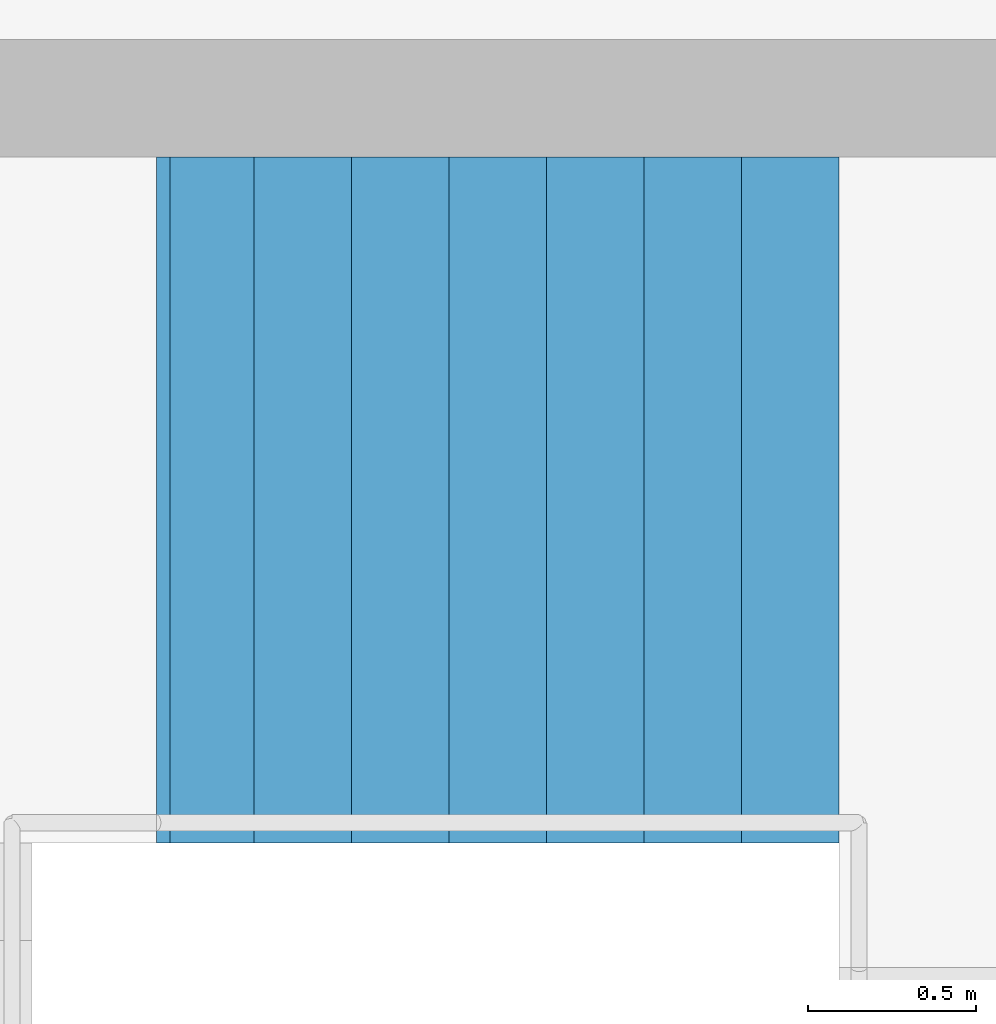
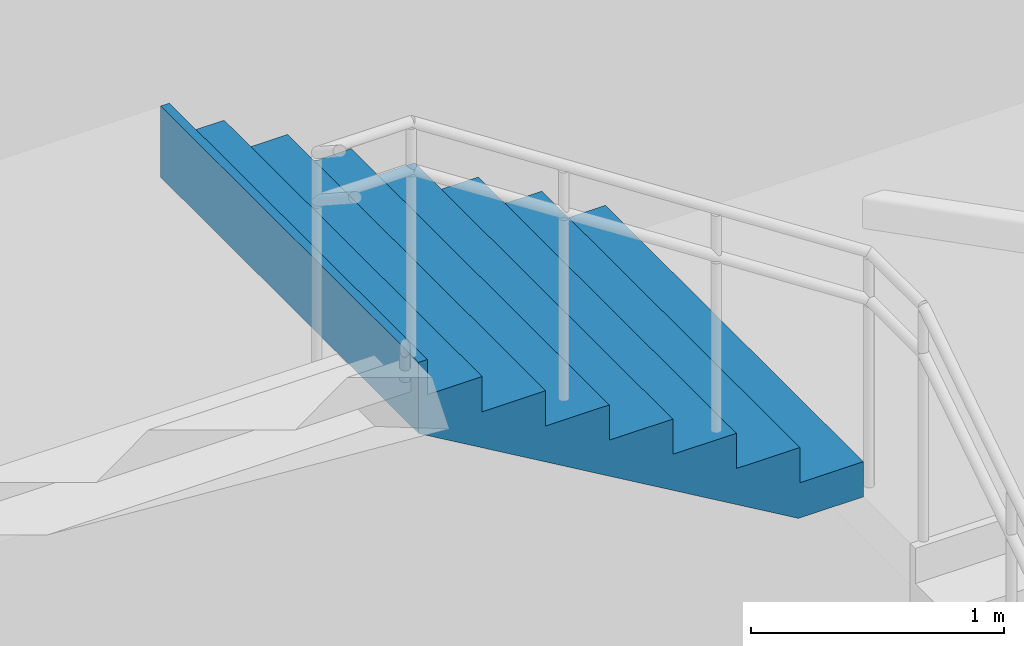
# One storey, part 53 of 74: 1 stair flight, 1 element without a shape of its own.
"""IFC4 building model written with IfcOpenShell, lengths in metres."""

from ifc_helpers import new_model, si_unit, direction, frame, origin, place, context, subcontext, project, spatial, triangles, material, type_object, element, aggregate, save


model = new_model("IFC4")

# Units and contexts
model_context = context("Model", 3, precision=1e-05, world=origin(), true_north=direction((0.0, 1.0)))
body_context = subcontext(model_context, "Body", "Model", "MODEL_VIEW")
ifc_project = project(units=[si_unit("LENGTHUNIT", "METRE"), si_unit("AREAUNIT", "SQUARE_METRE"), si_unit("VOLUMEUNIT", "CUBIC_METRE"), si_unit("PLANEANGLEUNIT", "RADIAN"), si_unit("MASSUNIT", "GRAM", prefix="KILO")], contexts=[model_context])

# Site, building, storey
site_placement = place(None, origin())
site = spatial("IfcSite", under=ifc_project, at=site_placement, CompositionType="ELEMENT")
building_placement = place(site_placement, origin())
building = spatial("IfcBuilding", under=site, at=building_placement, Name="Sillaruma Civic Art Gallery", CompositionType="ELEMENT")
storey_placement = place(building_placement, frame((0.0, 0.0, 5.43994140625)))
storey = spatial("IfcBuildingStorey", under=building, at=storey_placement, Name="L01", CompositionType="ELEMENT", Elevation=5.43994140625)

# Stair, stair flight
ifc_material = material(Name="Concrete H35 (35 MPa)", Category="concrete")
stair_type = type_object("IfcStairType", Name="STR-4F-32", PredefinedType="USERDEFINED", material=ifc_material)
stair_placement = place(storey_placement, origin())
stair = element("IfcStair", 1, at=stair_placement, inside=storey, type_object=stair_type, Name="Protected Exit Stair ST-03 (West Bar South) (L01)", ObjectType="THREE_RETURN_STAIR", PredefinedType="USERDEFINED")
stair_flight_type = type_object("IfcStairFlightType", Name="SFL-STR-8", PredefinedType="STRAIGHT", material=ifc_material)
stair_flight_placement = place(storey_placement, frame((67.199951171875, 36.8701171875, 2.719970703125), z_axis=(0.0, 0.0, 1.0), x_axis=(-1.0, 0.0, 0.0)))
stair_flight = element("IfcStairFlight", 2, at=stair_flight_placement, type_object=stair_flight_type, Name="ST-03 flight 3", NumberOfRisers=8, NumberOfTreads=7, PredefinedType="STRAIGHT", RiserHeight=0.17, TreadLength=0.29, context=body_context, shape_type="Tessellation", body=[
    triangles([(0.0, -1.02001953125, 0.0), (0.29, -1.02001953125, 0.0), (0.296443, -1.02001953125, 0.0), (0.58, -1.02001953125, 0.166223), (0.87, -1.02001953125, 0.336223), (1.16, -1.02001953125, 0.506223), (1.45, -1.02001953125, 0.676223), (1.74, -1.02001953125, 0.846223), (1.990029, -1.02001953125, 0.992792), (2.030029, -1.02001953125, 1.01624), (2.030029, -1.02001953125, 1.36), (1.990029, -1.02001953125, 1.36), (1.990029, -1.02001953125, 1.19), (1.74, -1.02001953125, 1.19), (1.74, -1.02001953125, 1.02), (1.45, -1.02001953125, 1.02), (1.45, -1.02001953125, 0.85), (1.16, -1.02001953125, 0.85), (1.16, -1.02001953125, 0.68), (0.87, -1.02001953125, 0.68), (0.87, -1.02001953125, 0.51), (0.58, -1.02001953125, 0.51), (0.58, -1.02001953125, 0.34), (0.296443, -1.02001953125, 0.34), (0.29, -1.02001953125, 0.34), (0.29, -1.02001953125, 0.17), (0.0, -1.02001953125, 0.17), (0.0, -0.05, 0.0), (0.29, -0.05, 0.0), (0.296443, -0.05, 0.0), (0.58, -0.05, 0.166223), (0.87, -0.05, 0.336223), (1.16, -0.05, 0.506223), (1.45, -0.05, 0.676223), (1.74, -0.05, 0.846223), (1.990029, -0.05, 0.992792), (2.030029, -0.05, 1.01624), (2.030029, -0.05, 1.36), (1.990029, -0.05, 1.36), (1.990029, -0.05, 1.19), (1.74, -0.05, 1.19), (1.74, -0.05, 1.02), (1.45, -0.05, 1.02), (1.45, -0.05, 0.85), (1.16, -0.05, 0.85), (1.16, -0.05, 0.68), (0.87, -0.05, 0.68), (0.87, -0.05, 0.51), (0.58, -0.05, 0.51), (0.58, -0.05, 0.34), (0.296443, -0.05, 0.34), (0.29, -0.05, 0.34), (0.29, -0.05, 0.17), (0.0, -0.05, 0.17), (0.0, -0.0375, 0.0), (0.29, -0.0375, 0.0), (0.296443, -0.0375, 0.0), (0.58, -0.0375, 0.166223), (0.87, -0.0375, 0.336223), (1.16, -0.0375, 0.506223), (1.45, -0.0375, 0.676223), (1.74, -0.0375, 0.846223), (1.990029, -0.0375, 0.992792), (2.030029, -0.0375, 1.01624), (2.030029, -0.0375, 1.36), (1.990029, -0.0375, 1.36), (1.990029, -0.0375, 1.19), (1.74, -0.0375, 1.19), (1.74, -0.0375, 1.02), (1.45, -0.0375, 1.02), (1.45, -0.0375, 0.85), (1.16, -0.0375, 0.85), (1.16, -0.0375, 0.68), (0.87, -0.0375, 0.68), (0.87, -0.0375, 0.51), (0.58, -0.0375, 0.51), (0.58, -0.0375, 0.34), (0.296443, -0.0375, 0.34), (0.29, -0.0375, 0.34), (0.29, -0.0375, 0.17), (0.0, -0.0375, 0.17), (0.0, -0.025, 0.0), (0.29, -0.025, 0.0), (0.296443, -0.025, 0.0), (0.58, -0.025, 0.166223), (0.87, -0.025, 0.336223), (1.16, -0.025, 0.506223), (1.45, -0.025, 0.676223), (1.74, -0.025, 0.846223), (1.990029, -0.025, 0.992792), (2.030029, -0.025, 1.01624), (2.030029, -0.025, 1.36), (1.990029, -0.025, 1.36), (1.990029, -0.025, 1.19), (1.74, -0.025, 1.19), (1.74, -0.025, 1.02), (1.45, -0.025, 1.02), (1.45, -0.025, 0.85), (1.16, -0.025, 0.85), (1.16, -0.025, 0.68), (0.87, -0.025, 0.68), (0.87, -0.025, 0.51), (0.58, -0.025, 0.51), (0.58, -0.025, 0.34), (0.296443, -0.025, 0.34), (0.29, -0.025, 0.34), (0.29, -0.025, 0.17), (0.0, -0.025, 0.17), (0.0, -0.0125, 0.0), (0.29, -0.0125, 0.0), (0.296443, -0.0125, 0.0), (0.58, -0.0125, 0.166223), (0.87, -0.0125, 0.336223), (1.16, -0.0125, 0.506223), (1.45, -0.0125, 0.676223), (1.74, -0.0125, 0.846223), (1.990029, -0.0125, 0.992792), (2.030029, -0.0125, 1.01624), (2.030029, -0.0125, 1.36), (1.990029, -0.0125, 1.36), (1.990029, -0.0125, 1.19), (1.74, -0.0125, 1.19), (1.74, -0.0125, 1.02), (1.45, -0.0125, 1.02), (1.45, -0.0125, 0.85), (1.16, -0.0125, 0.85), (1.16, -0.0125, 0.68), (0.87, -0.0125, 0.68), (0.87, -0.0125, 0.51), (0.58, -0.0125, 0.51), (0.58, -0.0125, 0.34), (0.296443, -0.0125, 0.34), (0.29, -0.0125, 0.34), (0.29, -0.0125, 0.17), (0.0, -0.0125, 0.17), (0.0, 0.0, 0.0), (0.29, 0.0, 0.0), (0.296443, 0.0, 0.0), (0.58, 0.0, 0.166223), (0.87, 0.0, 0.336223), (1.16, 0.0, 0.506223), (1.45, 0.0, 0.676223), (1.74, 0.0, 0.846223), (1.990029, 0.0, 0.992792), (2.030029, 0.0, 1.01624), (2.030029, 0.0, 1.36), (1.990029, 0.0, 1.36), (1.990029, 0.0, 1.19), (1.74, 0.0, 1.19), (1.74, 0.0, 1.02), (1.45, 0.0, 1.02), (1.45, 0.0, 0.85), (1.16, 0.0, 0.85), (1.16, 0.0, 0.68), (0.87, 0.0, 0.68), (0.87, 0.0, 0.51), (0.58, 0.0, 0.51), (0.58, 0.0, 0.34), (0.296443, 0.0, 0.34), (0.29, 0.0, 0.34), (0.29, 0.0, 0.17), (0.0, 0.0, 0.17), (0.0, 0.0125, 0.0), (0.29, 0.0125, 0.0), (0.296443, 0.0125, 0.0), (0.58, 0.0125, 0.166223), (0.87, 0.0125, 0.336223), (1.16, 0.0125, 0.506223), (1.45, 0.0125, 0.676223), (1.74, 0.0125, 0.846223), (1.990029, 0.0125, 0.992792), (2.030029, 0.0125, 1.01624), (2.030029, 0.0125, 1.36), (1.990029, 0.0125, 1.36), (1.990029, 0.0125, 1.19), (1.74, 0.0125, 1.19), (1.74, 0.0125, 1.02), (1.45, 0.0125, 1.02), (1.45, 0.0125, 0.85), (1.16, 0.0125, 0.85), (1.16, 0.0125, 0.68), (0.87, 0.0125, 0.68), (0.87, 0.0125, 0.51), (0.58, 0.0125, 0.51), (0.58, 0.0125, 0.34), (0.296443, 0.0125, 0.34), (0.29, 0.0125, 0.34), (0.29, 0.0125, 0.17), (0.0, 0.0125, 0.17), (0.0, 0.025, 0.0), (0.29, 0.025, 0.0), (0.296443, 0.025, 0.0), (0.58, 0.025, 0.166223), (0.87, 0.025, 0.336223), (1.16, 0.025, 0.506223), (1.45, 0.025, 0.676223), (1.74, 0.025, 0.846223), (1.990029, 0.025, 0.992792), (2.030029, 0.025, 1.01624), (2.030029, 0.025, 1.36), (1.990029, 0.025, 1.36), (1.990029, 0.025, 1.19), (1.74, 0.025, 1.19), (1.74, 0.025, 1.02), (1.45, 0.025, 1.02), (1.45, 0.025, 0.85), (1.16, 0.025, 0.85), (1.16, 0.025, 0.68), (0.87, 0.025, 0.68), (0.87, 0.025, 0.51), (0.58, 0.025, 0.51), (0.58, 0.025, 0.34), (0.296443, 0.025, 0.34), (0.29, 0.025, 0.34), (0.29, 0.025, 0.17), (0.0, 0.025, 0.17), (0.0, 0.0375, 0.0), (0.29, 0.0375, 0.0), (0.296443, 0.0375, 0.0), (0.58, 0.0375, 0.166223), (0.87, 0.0375, 0.336223), (1.16, 0.0375, 0.506223), (1.45, 0.0375, 0.676223), (1.74, 0.0375, 0.846223), (1.990029, 0.0375, 0.992792), (2.030029, 0.0375, 1.01624), (2.030029, 0.0375, 1.36), (1.990029, 0.0375, 1.36), (1.990029, 0.0375, 1.19), (1.74, 0.0375, 1.19), (1.74, 0.0375, 1.02), (1.45, 0.0375, 1.02), (1.45, 0.0375, 0.85), (1.16, 0.0375, 0.85), (1.16, 0.0375, 0.68), (0.87, 0.0375, 0.68), (0.87, 0.0375, 0.51), (0.58, 0.0375, 0.51), (0.58, 0.0375, 0.34), (0.296443, 0.0375, 0.34), (0.29, 0.0375, 0.34), (0.29, 0.0375, 0.17), (0.0, 0.0375, 0.17), (0.0, 0.05, 0.0), (0.29, 0.05, 0.0), (0.296443, 0.05, 0.0), (0.58, 0.05, 0.166223), (0.87, 0.05, 0.336223), (1.16, 0.05, 0.506223), (1.45, 0.05, 0.676223), (1.74, 0.05, 0.846223), (1.990029, 0.05, 0.992792), (2.030029, 0.05, 1.01624), (2.030029, 0.05, 1.36), (1.990029, 0.05, 1.36), (1.990029, 0.05, 1.19), (1.74, 0.05, 1.19), (1.74, 0.05, 1.02), (1.45, 0.05, 1.02), (1.45, 0.05, 0.85), (1.16, 0.05, 0.85), (1.16, 0.05, 0.68), (0.87, 0.05, 0.68), (0.87, 0.05, 0.51), (0.58, 0.05, 0.51), (0.58, 0.05, 0.34), (0.296443, 0.05, 0.34), (0.29, 0.05, 0.34), (0.29, 0.05, 0.17), (0.0, 0.05, 0.17), (0.0, 1.02001953125, 0.0), (0.29, 1.02001953125, 0.0), (0.296443, 1.02001953125, 0.0), (0.58, 1.02001953125, 0.166223), (0.87, 1.02001953125, 0.336223), (1.16, 1.02001953125, 0.506223), (1.45, 1.02001953125, 0.676223), (1.74, 1.02001953125, 0.846223), (1.990029, 1.02001953125, 0.992792), (2.030029, 1.02001953125, 1.01624), (2.030029, 1.02001953125, 1.36), (1.990029, 1.02001953125, 1.36), (1.990029, 1.02001953125, 1.19), (1.74, 1.02001953125, 1.19), (1.74, 1.02001953125, 1.02), (1.45, 1.02001953125, 1.02), (1.45, 1.02001953125, 0.85), (1.16, 1.02001953125, 0.85), (1.16, 1.02001953125, 0.68), (0.87, 1.02001953125, 0.68), (0.87, 1.02001953125, 0.51), (0.58, 1.02001953125, 0.51), (0.58, 1.02001953125, 0.34), (0.296443, 1.02001953125, 0.34), (0.29, 1.02001953125, 0.34), (0.29, 1.02001953125, 0.17), (0.0, 1.02001953125, 0.17)], [[1, 2, 26], [1, 26, 27], [2, 3, 24], [2, 24, 26], [26, 24, 25], [3, 4, 23], [3, 23, 24], [4, 5, 21], [4, 21, 23], [23, 21, 22], [5, 6, 19], [5, 19, 21], [21, 19, 20], [6, 7, 17], [6, 17, 19], [19, 17, 18], [7, 8, 15], [7, 15, 17], [17, 15, 16], [8, 9, 13], [8, 13, 15], [15, 13, 14], [9, 10, 11], [9, 11, 13], [13, 11, 12], [296, 272, 271], [297, 296, 271], [294, 273, 272], [296, 294, 272], [295, 294, 296], [293, 274, 273], [294, 293, 273], [291, 275, 274], [293, 291, 274], [292, 291, 293], [289, 276, 275], [291, 289, 275], [290, 289, 291], [287, 277, 276], [289, 287, 276], [288, 287, 289], [285, 278, 277], [287, 285, 277], [286, 285, 287], [283, 279, 278], [285, 283, 278], [284, 283, 285], [281, 280, 279], [283, 281, 279], [282, 281, 283], [2, 1, 28], [2, 28, 29], [3, 2, 29], [3, 29, 30], [4, 3, 30], [4, 30, 31], [5, 4, 31], [5, 31, 32], [6, 5, 32], [6, 32, 33], [7, 6, 33], [7, 33, 34], [8, 7, 34], [8, 34, 35], [9, 8, 35], [9, 35, 36], [10, 9, 36], [10, 36, 37], [11, 10, 37], [11, 37, 38], [12, 11, 38], [12, 38, 39], [13, 12, 39], [13, 39, 40], [14, 13, 40], [14, 40, 41], [15, 14, 41], [15, 41, 42], [16, 15, 42], [16, 42, 43], [17, 16, 43], [17, 43, 44], [18, 17, 44], [18, 44, 45], [19, 18, 45], [19, 45, 46], [20, 19, 46], [20, 46, 47], [21, 20, 47], [21, 47, 48], [22, 21, 48], [22, 48, 49], [23, 22, 49], [23, 49, 50], [24, 23, 50], [24, 50, 51], [25, 24, 51], [25, 51, 52], [26, 25, 52], [26, 52, 53], [27, 26, 53], [27, 53, 54], [1, 27, 54], [1, 54, 28], [29, 28, 55], [29, 55, 56], [30, 29, 56], [30, 56, 57], [31, 30, 57], [31, 57, 58], [32, 31, 58], [32, 58, 59], [33, 32, 59], [33, 59, 60], [34, 33, 60], [34, 60, 61], [35, 34, 61], [35, 61, 62], [36, 35, 62], [36, 62, 63], [37, 36, 63], [37, 63, 64], [38, 37, 64], [38, 64, 65], [39, 38, 65], [39, 65, 66], [40, 39, 66], [40, 66, 67], [41, 40, 67], [41, 67, 68], [42, 41, 68], [42, 68, 69], [43, 42, 69], [43, 69, 70], [44, 43, 70], [44, 70, 71], [45, 44, 71], [45, 71, 72], [46, 45, 72], [46, 72, 73], [47, 46, 73], [47, 73, 74], [48, 47, 74], [48, 74, 75], [49, 48, 75], [49, 75, 76], [50, 49, 76], [50, 76, 77], [51, 50, 77], [51, 77, 78], [52, 51, 78], [52, 78, 79], [53, 52, 79], [53, 79, 80], [54, 53, 80], [54, 80, 81], [28, 54, 81], [28, 81, 55], [56, 55, 82], [56, 82, 83], [57, 56, 83], [57, 83, 84], [58, 57, 84], [58, 84, 85], [59, 58, 85], [59, 85, 86], [60, 59, 86], [60, 86, 87], [61, 60, 87], [61, 87, 88], [62, 61, 88], [62, 88, 89], [63, 62, 89], [63, 89, 90], [64, 63, 90], [64, 90, 91], [65, 64, 91], [65, 91, 92], [66, 65, 92], [66, 92, 93], [67, 66, 93], [67, 93, 94], [68, 67, 94], [68, 94, 95], [69, 68, 95], [69, 95, 96], [70, 69, 96], [70, 96, 97], [71, 70, 97], [71, 97, 98], [72, 71, 98], [72, 98, 99], [73, 72, 99], [73, 99, 100], [74, 73, 100], [74, 100, 101], [75, 74, 101], [75, 101, 102], [76, 75, 102], [76, 102, 103], [77, 76, 103], [77, 103, 104], [78, 77, 104], [78, 104, 105], [79, 78, 105], [79, 105, 106], [80, 79, 106], [80, 106, 107], [81, 80, 107], [81, 107, 108], [55, 81, 108], [55, 108, 82], [83, 82, 109], [83, 109, 110], [84, 83, 110], [84, 110, 111], [85, 84, 111], [85, 111, 112], [86, 85, 112], [86, 112, 113], [87, 86, 113], [87, 113, 114], [88, 87, 114], [88, 114, 115], [89, 88, 115], [89, 115, 116], [90, 89, 116], [90, 116, 117], [91, 90, 117], [91, 117, 118], [92, 91, 118], [92, 118, 119], [93, 92, 119], [93, 119, 120], [94, 93, 120], [94, 120, 121], [95, 94, 121], [95, 121, 122], [96, 95, 122], [96, 122, 123], [97, 96, 123], [97, 123, 124], [98, 97, 124], [98, 124, 125], [99, 98, 125], [99, 125, 126], [100, 99, 126], [100, 126, 127], [101, 100, 127], [101, 127, 128], [102, 101, 128], [102, 128, 129], [103, 102, 129], [103, 129, 130], [104, 103, 130], [104, 130, 131], [105, 104, 131], [105, 131, 132], [106, 105, 132], [106, 132, 133], [107, 106, 133], [107, 133, 134], [108, 107, 134], [108, 134, 135], [82, 108, 135], [82, 135, 109], [110, 109, 136], [110, 136, 137], [111, 110, 137], [111, 137, 138], [112, 111, 138], [112, 138, 139], [113, 112, 139], [113, 139, 140], [114, 113, 140], [114, 140, 141], [115, 114, 141], [115, 141, 142], [116, 115, 142], [116, 142, 143], [117, 116, 143], [117, 143, 144], [118, 117, 144], [118, 144, 145], [119, 118, 145], [119, 145, 146], [120, 119, 146], [120, 146, 147], [121, 120, 147], [121, 147, 148], [122, 121, 148], [122, 148, 149], [123, 122, 149], [123, 149, 150], [124, 123, 150], [124, 150, 151], [125, 124, 151], [125, 151, 152], [126, 125, 152], [126, 152, 153], [127, 126, 153], [127, 153, 154], [128, 127, 154], [128, 154, 155], [129, 128, 155], [129, 155, 156], [130, 129, 156], [130, 156, 157], [131, 130, 157], [131, 157, 158], [132, 131, 158], [132, 158, 159], [133, 132, 159], [133, 159, 160], [134, 133, 160], [134, 160, 161], [135, 134, 161], [135, 161, 162], [109, 135, 162], [109, 162, 136], [137, 136, 163], [137, 163, 164], [138, 137, 164], [138, 164, 165], [139, 138, 165], [139, 165, 166], [140, 139, 166], [140, 166, 167], [141, 140, 167], [141, 167, 168], [142, 141, 168], [142, 168, 169], [143, 142, 169], [143, 169, 170], [144, 143, 170], [144, 170, 171], [145, 144, 171], [145, 171, 172], [146, 145, 172], [146, 172, 173], [147, 146, 173], [147, 173, 174], [148, 147, 174], [148, 174, 175], [149, 148, 175], [149, 175, 176], [150, 149, 176], [150, 176, 177], [151, 150, 177], [151, 177, 178], [152, 151, 178], [152, 178, 179], [153, 152, 179], [153, 179, 180], [154, 153, 180], [154, 180, 181], [155, 154, 181], [155, 181, 182], [156, 155, 182], [156, 182, 183], [157, 156, 183], [157, 183, 184], [158, 157, 184], [158, 184, 185], [159, 158, 185], [159, 185, 186], [160, 159, 186], [160, 186, 187], [161, 160, 187], [161, 187, 188], [162, 161, 188], [162, 188, 189], [136, 162, 189], [136, 189, 163], [164, 163, 190], [164, 190, 191], [165, 164, 191], [165, 191, 192], [166, 165, 192], [166, 192, 193], [167, 166, 193], [167, 193, 194], [168, 167, 194], [168, 194, 195], [169, 168, 195], [169, 195, 196], [170, 169, 196], [170, 196, 197], [171, 170, 197], [171, 197, 198], [172, 171, 198], [172, 198, 199], [173, 172, 199], [173, 199, 200], [174, 173, 200], [174, 200, 201], [175, 174, 201], [175, 201, 202], [176, 175, 202], [176, 202, 203], [177, 176, 203], [177, 203, 204], [178, 177, 204], [178, 204, 205], [179, 178, 205], [179, 205, 206], [180, 179, 206], [180, 206, 207], [181, 180, 207], [181, 207, 208], [182, 181, 208], [182, 208, 209], [183, 182, 209], [183, 209, 210], [184, 183, 210], [184, 210, 211], [185, 184, 211], [185, 211, 212], [186, 185, 212], [186, 212, 213], [187, 186, 213], [187, 213, 214], [188, 187, 214], [188, 214, 215], [189, 188, 215], [189, 215, 216], [163, 189, 216], [163, 216, 190], [191, 190, 217], [191, 217, 218], [192, 191, 218], [192, 218, 219], [193, 192, 219], [193, 219, 220], [194, 193, 220], [194, 220, 221], [195, 194, 221], [195, 221, 222], [196, 195, 222], [196, 222, 223], [197, 196, 223], [197, 223, 224], [198, 197, 224], [198, 224, 225], [199, 198, 225], [199, 225, 226], [200, 199, 226], [200, 226, 227], [201, 200, 227], [201, 227, 228], [202, 201, 228], [202, 228, 229], [203, 202, 229], [203, 229, 230], [204, 203, 230], [204, 230, 231], [205, 204, 231], [205, 231, 232], [206, 205, 232], [206, 232, 233], [207, 206, 233], [207, 233, 234], [208, 207, 234], [208, 234, 235], [209, 208, 235], [209, 235, 236], [210, 209, 236], [210, 236, 237], [211, 210, 237], [211, 237, 238], [212, 211, 238], [212, 238, 239], [213, 212, 239], [213, 239, 240], [214, 213, 240], [214, 240, 241], [215, 214, 241], [215, 241, 242], [216, 215, 242], [216, 242, 243], [190, 216, 243], [190, 243, 217], [218, 217, 244], [218, 244, 245], [219, 218, 245], [219, 245, 246], [220, 219, 246], [220, 246, 247], [221, 220, 247], [221, 247, 248], [222, 221, 248], [222, 248, 249], [223, 222, 249], [223, 249, 250], [224, 223, 250], [224, 250, 251], [225, 224, 251], [225, 251, 252], [226, 225, 252], [226, 252, 253], [227, 226, 253], [227, 253, 254], [228, 227, 254], [228, 254, 255], [229, 228, 255], [229, 255, 256], [230, 229, 256], [230, 256, 257], [231, 230, 257], [231, 257, 258], [232, 231, 258], [232, 258, 259], [233, 232, 259], [233, 259, 260], [234, 233, 260], [234, 260, 261], [235, 234, 261], [235, 261, 262], [236, 235, 262], [236, 262, 263], [237, 236, 263], [237, 263, 264], [238, 237, 264], [238, 264, 265], [239, 238, 265], [239, 265, 266], [240, 239, 266], [240, 266, 267], [241, 240, 267], [241, 267, 268], [242, 241, 268], [242, 268, 269], [243, 242, 269], [243, 269, 270], [217, 243, 270], [217, 270, 244], [245, 244, 271], [245, 271, 272], [246, 245, 272], [246, 272, 273], [247, 246, 273], [247, 273, 274], [248, 247, 274], [248, 274, 275], [249, 248, 275], [249, 275, 276], [250, 249, 276], [250, 276, 277], [251, 250, 277], [251, 277, 278], [252, 251, 278], [252, 278, 279], [253, 252, 279], [253, 279, 280], [254, 253, 280], [254, 280, 281], [255, 254, 281], [255, 281, 282], [256, 255, 282], [256, 282, 283], [257, 256, 283], [257, 283, 284], [258, 257, 284], [258, 284, 285], [259, 258, 285], [259, 285, 286], [260, 259, 286], [260, 286, 287], [261, 260, 287], [261, 287, 288], [262, 261, 288], [262, 288, 289], [263, 262, 289], [263, 289, 290], [264, 263, 290], [264, 290, 291], [265, 264, 291], [265, 291, 292], [266, 265, 292], [266, 292, 293], [267, 266, 293], [267, 293, 294], [268, 267, 294], [268, 294, 295], [269, 268, 295], [269, 295, 296], [270, 269, 296], [270, 296, 297], [244, 270, 297], [244, 297, 271]], closed=True),
])
aggregate(stair, [stair_flight])

save(model, "model.ifc")
